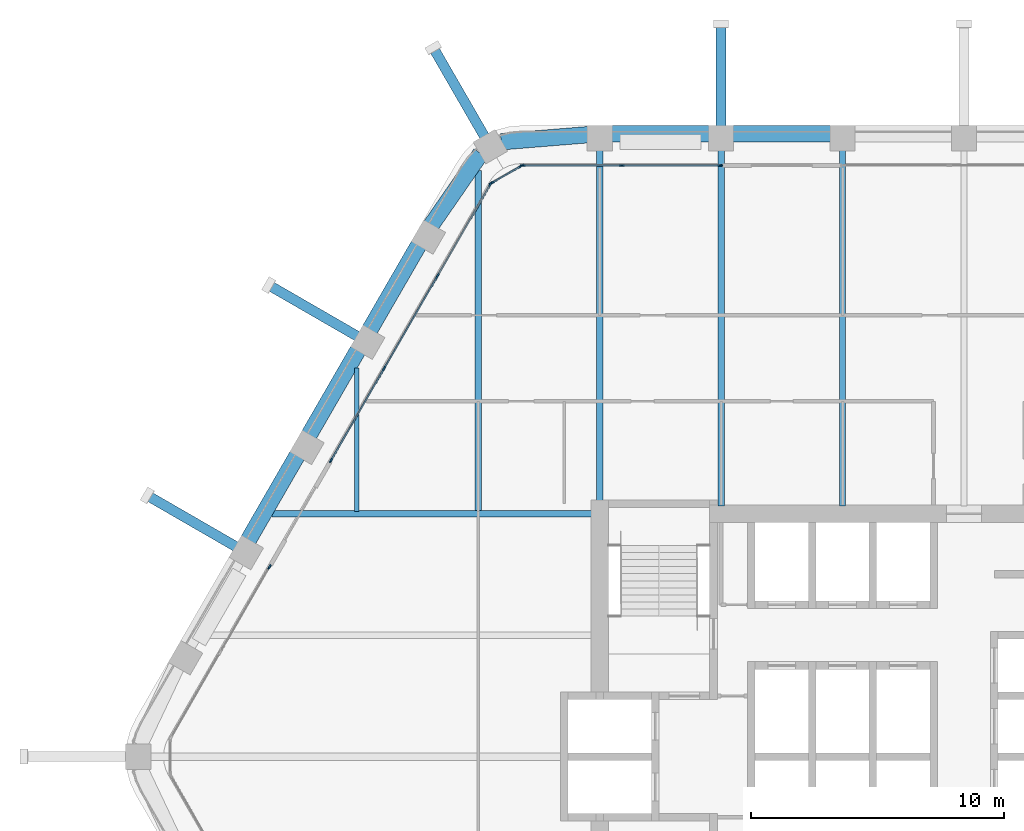
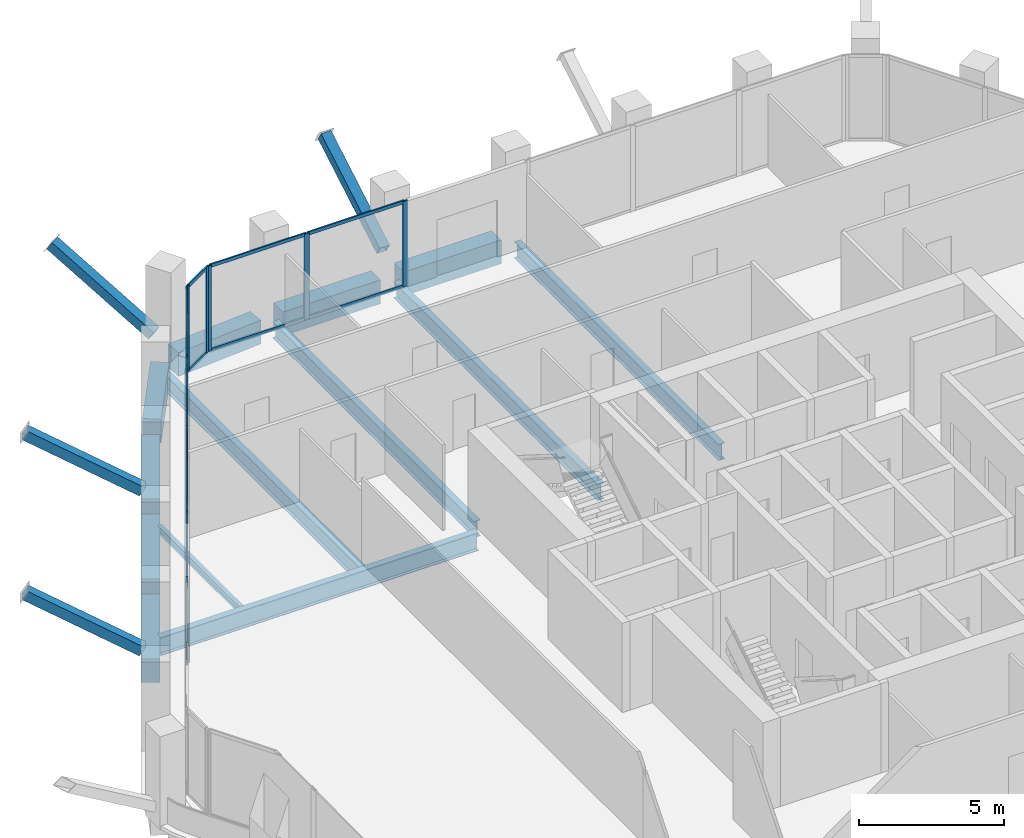
# One storey, part 6 of 16: 26 members, 13 beams, 4 elements without a shape of their own.
"""IFC4 building model written with IfcOpenShell, lengths in metres."""

from ifc_helpers import new_model, si_unit, direction, frame, origin, origin_2d, place, context, subcontext, project, spatial, rectangle, hollow_rectangle, i_section, extrude, material, material_profile, profile_set, type_object, element, aggregate, save


model = new_model("IFC4")

# Units and contexts
model_context = context("Model", 3, precision=1e-05, world=origin(), true_north=direction((0.0, 1.0)))
body_context = subcontext(model_context, "Body", "Model", "MODEL_VIEW")
ifc_project = project(units=[si_unit("LENGTHUNIT", "METRE"), si_unit("AREAUNIT", "SQUARE_METRE"), si_unit("VOLUMEUNIT", "CUBIC_METRE"), si_unit("PLANEANGLEUNIT", "RADIAN"), si_unit("MASSUNIT", "GRAM", prefix="KILO")], contexts=[model_context])

# Site, building, storey
site_placement = place(None, origin())
site = spatial("IfcSite", under=ifc_project, at=site_placement, CompositionType="ELEMENT")
building_placement = place(site_placement, origin())
building = spatial("IfcBuilding", under=site, at=building_placement, Name="Kolab Exchange Tower", CompositionType="ELEMENT")
storey_placement = place(building_placement, frame((0.0, 0.0, 146.60009765625)))
storey = spatial("IfcBuildingStorey", under=building, at=storey_placement, Name="L29", CompositionType="ELEMENT", Elevation=146.60009765625)

# Beams
ifc_material_1 = material(Name="Steel S355", Category="steel")
ifc_material_profile_1 = material_profile(ifc_material_1, i_section(OverallWidth=0.1650390625, OverallDepth=0.31005859375, WebThickness=0.005859375, FlangeThickness=0.009765625, at=origin_2d()), Name="W310X39")
ifc_profile_set_1 = profile_set([ifc_material_profile_1], Name="Steel S355")
beam_type_1 = type_object("IfcBeamType", Name="FLOOR BEAM W310X39", PredefinedType="BEAM", material=ifc_profile_set_1)
beam_1_placement = place(storey_placement, frame((-19.199951171875, 9.693603515625, -0.30517578125), z_axis=(0.0, 1.0, 0.0), x_axis=(-1.0, 0.0, 0.0)))
element("IfcBeam", 1, at=beam_1_placement, inside=storey, type_object=beam_type_1, Name="beam/L29/fr/004", PredefinedType="BEAM", context=body_context, shape_type="SweptSolid", body=[
    extrude(i_section(OverallWidth=0.1650390625, OverallDepth=0.31005859375, WebThickness=0.005859375, FlangeThickness=0.009765625, at=origin_2d()), origin(), (0.0, 0.0, 1.0), 5.674072265625),
])
ifc_material_profile_2 = material_profile(ifc_material_1, i_section(OverallWidth=0.25390625, OverallDepth=0.68408203125, WebThickness=0.012451171875, FlangeThickness=0.018798828125, at=origin_2d()), Name="W690X140")
ifc_profile_set_2 = profile_set([ifc_material_profile_2], Name="Steel S355")
beam_type_2 = type_object("IfcBeamType", Name="FLOOR BEAM W690X140", PredefinedType="BEAM", material=ifc_profile_set_2)
beam_2_placement = place(storey_placement, frame((-14.39990234375, 9.693603515625, -0.4921875), z_axis=(0.0, 1.0, 0.0), x_axis=(-1.0, 0.0, 0.0)))
element("IfcBeam", 2, at=beam_2_placement, inside=storey, type_object=beam_type_2, Name="beam/L29/fr/006", PredefinedType="BEAM", context=body_context, shape_type="SweptSolid", body=[
    extrude(i_section(OverallWidth=0.25390625, OverallDepth=0.68408203125, WebThickness=0.012451171875, FlangeThickness=0.018798828125, at=origin_2d()), origin(), (0.0, 0.0, 1.0), 13.462158203125),
])
beam_3_placement = place(storey_placement, frame((-9.60009765625, 10.110107421875, -0.4921875), z_axis=(0.0, 1.0, 0.0), x_axis=(-1.0, 0.0, 0.0)))
element("IfcBeam", 3, at=beam_3_placement, inside=storey, type_object=beam_type_2, Name="beam/L29/fr/008", PredefinedType="BEAM", context=body_context, shape_type="SweptSolid", body=[
    extrude(i_section(OverallWidth=0.25390625, OverallDepth=0.68408203125, WebThickness=0.012451171875, FlangeThickness=0.018798828125, at=origin_2d()), origin(), (0.0, 0.0, 1.0), 13.871337890625),
])
for number, where, z_axis, x_axis, name in (
    (4, (-4.800048828125, 9.909912109375, -0.4921875), (0.0, 1.0, 0.0), (-1.0, 0.0, 0.0), "beam/L29/fr/010"),
    (5, (0.0, 9.909912109375, -0.4921875), (0.0, 1.0, 0.0), (-1.0, 0.0, 0.0), "beam/L29/fr/012"),
):
    element("IfcBeam", number, at=place(storey_placement, frame(where, z_axis=z_axis, x_axis=x_axis)), inside=storey, type_object=beam_type_2, Name=name, PredefinedType="BEAM", context=body_context, shape_type="SweptSolid", body=[
        extrude(i_section(OverallWidth=0.25390625, OverallDepth=0.68408203125, WebThickness=0.012451171875, FlangeThickness=0.018798828125, at=origin_2d()), origin(), (0.0, 0.0, 1.0), 14.071533203125),
    ])
ifc_material_profile_3 = material_profile(ifc_material_1, i_section(OverallWidth=0.26708984375, OverallDepth=0.761962890625, WebThickness=0.014404296875, FlangeThickness=0.021484375, at=origin_2d()), Name="W760X173")
ifc_profile_set_3 = profile_set([ifc_material_profile_3], Name="Steel S355")
beam_type_3 = type_object("IfcBeamType", Name="FLOOR GIRDER W760X173", PredefinedType="BEAM", material=ifc_profile_set_3)
beam_4_placement = place(storey_placement, frame((-22.546875, 9.60009765625, -0.531005859375), z_axis=(1.0, 0.0, 0.0), x_axis=(0.0, 1.0, 0.0)))
element("IfcBeam", 6, at=beam_4_placement, inside=storey, type_object=beam_type_3, Name="beam/L29/gd/001", PredefinedType="BEAM", context=body_context, shape_type="SweptSolid", body=[
    extrude(i_section(OverallWidth=0.26708984375, OverallDepth=0.761962890625, WebThickness=0.014404296875, FlangeThickness=0.021484375, at=origin_2d()), origin(), (0.0, 0.0, 1.0), 12.636962890625),
])

# Members
ifc_material_profile_4 = material_profile(ifc_material_1, hollow_rectangle(XDim=0.39990234375, YDim=0.39990234375, WallThickness=0.02001953125, at=origin_2d()), Name="HSS400X400X20")
ifc_profile_set_4 = profile_set([ifc_material_profile_4], Name="Steel S355")
member_type_1 = type_object("IfcMemberType", Name="LEDGE STRUT HSS400X400X20", PredefinedType="STRUT", material=ifc_profile_set_4)
for number, where, z_axis, x_axis, name in (
    (7, (-23.96533203125, 8.293701171875, 0.599853515625), (-0.74712949304, 0.431355064226, 0.505697863547), (-0.499999695987, -0.866025579307, 0.0), "mem/L29/ledge/strut-1"),
    (8, (-19.165283203125, 16.607666015625, 0.599853515625), (-0.74712949304, 0.431355064226, 0.505697863547), (-0.499999695987, -0.866025579307, 0.0), "mem/L29/ledge/strut-2"),
    (9, (-14.14794921875, 24.5048828125, 0.599853515625), (-0.431355064226, 0.74712949304, 0.505697863547), (-0.866025579307, -0.499999695987, 0.0), "mem/L29/ledge/strut-3"),
    (10, (-4.800048828125, 24.901611328125, 0.599853515625), (0.0, 0.862697185747, 0.50572083772), (-1.0, 0.0, 0.0), "mem/L29/ledge/strut-4"),
):
    element("IfcMember", number, at=place(storey_placement, frame(where, z_axis=z_axis, x_axis=x_axis)), inside=storey, type_object=member_type_1, Name=name, PredefinedType="STRUT", context=body_context, shape_type="SweptSolid", body=[
        extrude(hollow_rectangle(XDim=0.39990234375, YDim=0.39990234375, WallThickness=0.02001953125, at=origin_2d()), origin(), (0.0, 0.0, 1.0), 4.682861328125),
    ])

# Beams
ifc_material_2 = material(Name="Concrete C60/75", Category="concrete")
ifc_material_profile_5 = material_profile(ifc_material_2, rectangle(XDim=0.64990234375, YDim=1.0, at=origin_2d()), Name="RC650X1000")
ifc_profile_set_5 = profile_set([ifc_material_profile_5], Name="Concrete C60/75")
beam_type_4 = type_object("IfcBeamType", Name="SPANDREL BEAM 650X1000 C60/75", PredefinedType="BEAM", material=ifc_profile_set_5)
beam_5_placement = place(storey_placement, frame((-13.493896484375, 24.2998046875, -0.650146484375), z_axis=(0.996708497182, 0.081068931445, 0.0), x_axis=(-0.081068931445, 0.996708497182, 0.0)))
element("IfcBeam", 11, at=beam_5_placement, inside=storey, type_object=beam_type_4, Name="beam/L29/sp/F1-01", PredefinedType="BEAM", context=body_context, shape_type="SweptSolid", body=[
    extrude(rectangle(XDim=0.64990234375, YDim=1.0, at=origin_2d()), origin(), (0.0, 0.0, 1.0), 3.445068359375),
])
beam_6_placement = place(storey_placement, frame((-9.139892578125, 24.616455078125, -0.650146484375), z_axis=(1.0, 0.0, 0.0), x_axis=(0.0, 1.0, 0.0)))
element("IfcBeam", 12, at=beam_6_placement, inside=storey, type_object=beam_type_4, Name="beam/L29/sp/F1-02", PredefinedType="BEAM", context=body_context, shape_type="SweptSolid", body=[
    extrude(rectangle(XDim=0.64990234375, YDim=1.0, at=origin_2d()), origin(), (0.0, 0.0, 1.0), 3.8798828125),
])
beam_7_placement = place(storey_placement, frame((-4.340087890625, 24.616455078125, -0.650146484375), z_axis=(1.0, 0.0, 0.0), x_axis=(0.0, 1.0, 0.0)))
element("IfcBeam", 13, at=beam_7_placement, inside=storey, type_object=beam_type_4, Name="beam/L29/sp/F1-03", PredefinedType="BEAM", context=body_context, shape_type="SweptSolid", body=[
    extrude(rectangle(XDim=0.64990234375, YDim=1.0, at=origin_2d()), origin(), (0.0, 0.0, 1.0), 3.880126953125),
])
beam_8_placement = place(storey_placement, frame((-23.488525390625, 8.5498046875, -0.650146484375), z_axis=(0.499996613652, 0.866027358884, 0.0), x_axis=(-0.866027358884, 0.499996613652, 0.0)))
element("IfcBeam", 14, at=beam_8_placement, inside=storey, type_object=beam_type_4, Name="beam/L29/sp/F6-03", PredefinedType="BEAM", context=body_context, shape_type="SweptSolid", body=[
    extrude(rectangle(XDim=0.64990234375, YDim=1.0, at=origin_2d()), origin(), (0.0, 0.0, 1.0), 3.8798828125),
])
beam_9_placement = place(storey_placement, frame((-21.088623046875, 12.70654296875, -0.650146484375), z_axis=(0.50001655835, 0.866015843605, 0.0), x_axis=(-0.866015843605, 0.50001655835, 0.0)))
element("IfcBeam", 15, at=beam_9_placement, inside=storey, type_object=beam_type_4, Name="beam/L29/sp/F6-04", PredefinedType="BEAM", context=body_context, shape_type="SweptSolid", body=[
    extrude(rectangle(XDim=0.64990234375, YDim=1.0, at=origin_2d()), origin(), (0.0, 0.0, 1.0), 3.880126953125),
])
beam_10_placement = place(storey_placement, frame((-18.6884765625, 16.863525390625, -0.650146484375), z_axis=(0.499996613652, 0.866027358884, 0.0), x_axis=(-0.866027358884, 0.499996613652, 0.0)))
element("IfcBeam", 16, at=beam_10_placement, inside=storey, type_object=beam_type_4, Name="beam/L29/sp/F6-05", PredefinedType="BEAM", context=body_context, shape_type="SweptSolid", body=[
    extrude(rectangle(XDim=0.64990234375, YDim=1.0, at=origin_2d()), origin(), (0.0, 0.0, 1.0), 3.8798828125),
])
beam_11_placement = place(storey_placement, frame((-16.256103515625, 21.001953125, -0.650146484375), z_axis=(0.568572281073, 0.822633309073, 0.0), x_axis=(-0.822633309073, 0.568572281073, 0.0)))
element("IfcBeam", 17, at=beam_11_placement, inside=storey, type_object=beam_type_4, Name="beam/L29/sp/F6-06", PredefinedType="BEAM", context=body_context, shape_type="SweptSolid", body=[
    extrude(rectangle(XDim=0.64990234375, YDim=1.0, at=origin_2d()), origin(), (0.0, 0.0, 1.0), 3.445068359375),
])

# Curtain wall, members
ifc_material_3 = material(Name="Aluminium EN AW-6063 T6", Category="aluminium")
curtain_wall_type = type_object("IfcCurtainWallType", Name="UNITISED UPPER MID ZONE CURTAIN WALL", PredefinedType="NOTDEFINED", material=ifc_material_3)
curtain_wall_1_placement = place(storey_placement, origin())
curtain_wall_1 = element("IfcCurtainWall", 18, at=curtain_wall_1_placement, inside=storey, type_object=curtain_wall_type, Name="cw/L29/F1-1", PredefinedType="NOTDEFINED")
ifc_material_profile_6 = material_profile(ifc_material_3, rectangle(XDim=0.06005859375, YDim=0.199951171875, at=origin_2d()), Name="RECT 60X200")
ifc_profile_set_6 = profile_set([ifc_material_profile_6], Name="Aluminium EN AW-6063 T6")
member_type_2 = type_object("IfcMemberType", Name="UNITISED UPPER MID ZONE MULLION 60 X 200", PredefinedType="MULLION", material=ifc_profile_set_6)
member_1_placement = place(storey_placement, frame((-12.637939453125, 23.361572265625, 0.0), z_axis=(0.0, 0.0, 1.0), x_axis=(0.0, 1.0, 0.0)))
member_1 = element("IfcMember", 19, at=member_1_placement, type_object=member_type_2, Name="CW3 mullion 1", PredefinedType="MULLION", context=body_context, shape_type="SweptSolid", body=[
    extrude(rectangle(XDim=0.06005859375, YDim=0.199951171875, at=origin_2d()), origin(), (0.0, 0.0, 1.0), 3.599853515625),
])
member_2_placement = place(storey_placement, frame((-8.73388671875, 23.361572265625, 0.0), z_axis=(0.0, 0.0, 1.0), x_axis=(0.0, 1.0, 0.0)))
member_2 = element("IfcMember", 20, at=member_2_placement, type_object=member_type_2, Name="CW3 mullion 2", PredefinedType="MULLION", context=body_context, shape_type="SweptSolid", body=[
    extrude(rectangle(XDim=0.06005859375, YDim=0.199951171875, at=origin_2d()), origin(), (0.0, 0.0, 1.0), 3.599853515625),
])
member_3_placement = place(storey_placement, frame((-4.830078125, 23.361572265625, 0.0), z_axis=(0.0, 0.0, 1.0), x_axis=(0.0, 1.0, 0.0)))
member_3 = element("IfcMember", 21, at=member_3_placement, type_object=member_type_2, Name="CW3 mullion 3", PredefinedType="MULLION", context=body_context, shape_type="SweptSolid", body=[
    extrude(rectangle(XDim=0.06005859375, YDim=0.199951171875, at=origin_2d()), origin(), (0.0, 0.0, 1.0), 3.599853515625),
])

# Curtain wall, member
curtain_wall_2_placement = place(storey_placement, origin())
curtain_wall_2 = element("IfcCurtainWall", 22, at=curtain_wall_2_placement, inside=storey, type_object=curtain_wall_type, Name="cw/L29/F6-1", PredefinedType="NOTDEFINED")
member_4_placement = place(storey_placement, frame((-22.646728515625, 7.497802734375, 0.0), z_axis=(0.0, 0.0, 1.0), x_axis=(-0.866025440524, 0.499999936366, 0.0)))
member_4 = element("IfcMember", 23, at=member_4_placement, type_object=member_type_2, Name="CW3 mullion 3", PredefinedType="MULLION", context=body_context, shape_type="SweptSolid", body=[
    extrude(rectangle(XDim=0.06005859375, YDim=0.199951171875, at=origin_2d()), origin(), (0.0, 0.0, 1.0), 3.599853515625),
])
aggregate(curtain_wall_2, [member_4])

# Curtain wall, members
curtain_wall_3_placement = place(storey_placement, origin())
curtain_wall_3 = element("IfcCurtainWall", 24, at=curtain_wall_3_placement, inside=storey, type_object=curtain_wall_type, Name="cw/L29/F6-2", PredefinedType="NOTDEFINED")
member_5_placement = place(storey_placement, frame((-20.216796875, 11.706787109375, 0.0), z_axis=(0.0, 0.0, 1.0), x_axis=(-0.866025393644, 0.500000017564, 0.0)))
member_5 = element("IfcMember", 25, at=member_5_placement, type_object=member_type_2, Name="CW3 mullion 1", PredefinedType="MULLION", context=body_context, shape_type="SweptSolid", body=[
    extrude(rectangle(XDim=0.06005859375, YDim=0.199951171875, at=origin_2d()), origin(), (0.0, 0.0, 1.0), 3.599853515625),
])
member_6_placement = place(storey_placement, frame((-18.120361328125, 15.337646484375, 0.0), z_axis=(0.0, 0.0, 1.0), x_axis=(-0.866025393644, 0.500000017564, 0.0)))
member_6 = element("IfcMember", 26, at=member_6_placement, type_object=member_type_2, Name="CW3 mullion 2", PredefinedType="MULLION", context=body_context, shape_type="SweptSolid", body=[
    extrude(rectangle(XDim=0.06005859375, YDim=0.199951171875, at=origin_2d()), origin(), (0.0, 0.0, 1.0), 3.599853515625),
])
member_7_placement = place(storey_placement, frame((-16.009033203125, 18.99462890625, 0.0), z_axis=(0.0, 0.0, 1.0), x_axis=(-0.866025393644, 0.500000017564, 0.0)))
member_7 = element("IfcMember", 27, at=member_7_placement, type_object=member_type_2, Name="CW3 mullion 3", PredefinedType="MULLION", context=body_context, shape_type="SweptSolid", body=[
    extrude(rectangle(XDim=0.06005859375, YDim=0.199951171875, at=origin_2d()), origin(), (0.0, 0.0, 1.0), 3.599853515625),
])
member_8_placement = place(storey_placement, frame((-13.91259765625, 22.62548828125, 0.0), z_axis=(0.0, 0.0, 1.0), x_axis=(-0.866025393644, 0.500000017564, 0.0)))
member_8 = element("IfcMember", 28, at=member_8_placement, type_object=member_type_2, Name="CW3 mullion 4", PredefinedType="MULLION", context=body_context, shape_type="SweptSolid", body=[
    extrude(rectangle(XDim=0.06005859375, YDim=0.199951171875, at=origin_2d()), origin(), (0.0, 0.0, 1.0), 3.599853515625),
])

curtain_wall_4_placement = place(storey_placement, origin())
curtain_wall_4 = element("IfcCurtainWall", 29, at=curtain_wall_4_placement, inside=storey, type_object=curtain_wall_type, Name="cw/L29/F6F1-corner", PredefinedType="NOTDEFINED")
member_9_placement = place(storey_placement, frame((-13.871826171875, 22.66650390625, 0.0), z_axis=(0.0, 0.0, 1.0), x_axis=(-0.50000002237, 0.866025390869, 0.0)))
member_9 = element("IfcMember", 30, at=member_9_placement, type_object=member_type_2, Name="CW3 mullion 1", PredefinedType="MULLION", context=body_context, shape_type="SweptSolid", body=[
    extrude(rectangle(XDim=0.06005859375, YDim=0.199951171875, at=origin_2d()), origin(), (0.0, 0.0, 1.0), 3.599853515625),
])
member_10_placement = place(storey_placement, frame((-12.69384765625, 23.346435546875, 0.0), z_axis=(0.0, 0.0, 1.0), x_axis=(-0.50000002237, 0.866025390869, 0.0)))
member_10 = element("IfcMember", 31, at=member_10_placement, type_object=member_type_2, Name="CW3 mullion 2", PredefinedType="MULLION", context=body_context, shape_type="SweptSolid", body=[
    extrude(rectangle(XDim=0.06005859375, YDim=0.199951171875, at=origin_2d()), origin(), (0.0, 0.0, 1.0), 3.599853515625),
])

# Member
ifc_material_profile_7 = material_profile(ifc_material_3, rectangle(XDim=0.06005859375, YDim=0.139892578125, at=origin_2d()), Name="RECT 60X140")
ifc_profile_set_7 = profile_set([ifc_material_profile_7], Name="Aluminium EN AW-6063 T6")
member_type_3 = type_object("IfcMemberType", Name="UNITISED UPPER MID ZONE TRANSOM 60 X 140", PredefinedType="USERDEFINED", material=ifc_profile_set_7)
member_11_placement = place(storey_placement, frame((-12.60791015625, 23.361572265625, 0.02978515625), z_axis=(1.0, 0.0, 0.0), x_axis=(0.0, 1.0, 0.0)))
member_11 = element("IfcMember", 32, at=member_11_placement, type_object=member_type_3, Name="CW3 transom 1.1", ObjectType="TRANSOM", PredefinedType="USERDEFINED", context=body_context, shape_type="SweptSolid", body=[
    extrude(rectangle(XDim=0.06005859375, YDim=0.139892578125, at=origin_2d()), origin(), (0.0, 0.0, 1.0), 3.843994140625),
])

member_12_placement = place(storey_placement, frame((-12.60791015625, 23.361572265625, 3.56982421875), z_axis=(1.0, 0.0, 0.0), x_axis=(0.0, 1.0, 0.0)))
member_12 = element("IfcMember", 33, at=member_12_placement, type_object=member_type_3, Name="CW3 transom 1.2", ObjectType="TRANSOM", PredefinedType="USERDEFINED", context=body_context, shape_type="SweptSolid", body=[
    extrude(rectangle(XDim=0.06005859375, YDim=0.139892578125, at=origin_2d()), origin(), (0.0, 0.0, 1.0), 3.843994140625),
])

member_13_placement = place(storey_placement, frame((-8.703857421875, 23.361572265625, 0.02978515625), z_axis=(1.0, 0.0, 0.0), x_axis=(0.0, 1.0, 0.0)))
member_13 = element("IfcMember", 34, at=member_13_placement, type_object=member_type_3, Name="CW3 transom 2.1", ObjectType="TRANSOM", PredefinedType="USERDEFINED", context=body_context, shape_type="SweptSolid", body=[
    extrude(rectangle(XDim=0.06005859375, YDim=0.139892578125, at=origin_2d()), origin(), (0.0, 0.0, 1.0), 3.84375),
])

member_14_placement = place(storey_placement, frame((-8.703857421875, 23.361572265625, 3.56982421875), z_axis=(1.0, 0.0, 0.0), x_axis=(0.0, 1.0, 0.0)))
member_14 = element("IfcMember", 35, at=member_14_placement, type_object=member_type_3, Name="CW3 transom 2.2", ObjectType="TRANSOM", PredefinedType="USERDEFINED", context=body_context, shape_type="SweptSolid", body=[
    extrude(rectangle(XDim=0.06005859375, YDim=0.139892578125, at=origin_2d()), origin(), (0.0, 0.0, 1.0), 3.84375),
])

aggregate(curtain_wall_1, [member_1, member_2, member_3, member_11, member_12, member_13, member_14])

member_15_placement = place(storey_placement, frame((-20.20166015625, 11.732666015625, 0.02978515625), z_axis=(0.500001996123, 0.866024251319, 0.0), x_axis=(-0.866024251319, 0.500001996123, 0.0)))
member_15 = element("IfcMember", 36, at=member_15_placement, type_object=member_type_3, Name="CW3 transom 1.1", ObjectType="TRANSOM", PredefinedType="USERDEFINED", context=body_context, shape_type="SweptSolid", body=[
    extrude(rectangle(XDim=0.06005859375, YDim=0.139892578125, at=origin_2d()), origin(), (0.0, 0.0, 1.0), 4.1328125),
])

member_16_placement = place(storey_placement, frame((-20.20166015625, 11.732666015625, 3.56982421875), z_axis=(0.500001996123, 0.866024251319, 0.0), x_axis=(-0.866024251319, 0.500001996123, 0.0)))
member_16 = element("IfcMember", 37, at=member_16_placement, type_object=member_type_3, Name="CW3 transom 1.2", ObjectType="TRANSOM", PredefinedType="USERDEFINED", context=body_context, shape_type="SweptSolid", body=[
    extrude(rectangle(XDim=0.06005859375, YDim=0.139892578125, at=origin_2d()), origin(), (0.0, 0.0, 1.0), 4.1328125),
])

member_17_placement = place(storey_placement, frame((-18.10546875, 15.36376953125, 0.02978515625), z_axis=(0.500037208726, 0.86600392025, 0.0), x_axis=(-0.86600392025, 0.500037208726, 0.0)))
member_17 = element("IfcMember", 38, at=member_17_placement, type_object=member_type_3, Name="CW3 transom 2.1", ObjectType="TRANSOM", PredefinedType="USERDEFINED", context=body_context, shape_type="SweptSolid", body=[
    extrude(rectangle(XDim=0.06005859375, YDim=0.139892578125, at=origin_2d()), origin(), (0.0, 0.0, 1.0), 4.162841796875),
])

member_18_placement = place(storey_placement, frame((-18.10546875, 15.36376953125, 3.56982421875), z_axis=(0.500037208726, 0.86600392025, 0.0), x_axis=(-0.86600392025, 0.500037208726, 0.0)))
member_18 = element("IfcMember", 39, at=member_18_placement, type_object=member_type_3, Name="CW3 transom 2.2", ObjectType="TRANSOM", PredefinedType="USERDEFINED", context=body_context, shape_type="SweptSolid", body=[
    extrude(rectangle(XDim=0.06005859375, YDim=0.139892578125, at=origin_2d()), origin(), (0.0, 0.0, 1.0), 4.162841796875),
])

member_19_placement = place(storey_placement, frame((-15.994140625, 19.0205078125, 0.02978515625), z_axis=(0.500001996123, 0.866024251319, 0.0), x_axis=(-0.866024251319, 0.500001996123, 0.0)))
member_19 = element("IfcMember", 40, at=member_19_placement, type_object=member_type_3, Name="CW3 transom 3.1", ObjectType="TRANSOM", PredefinedType="USERDEFINED", context=body_context, shape_type="SweptSolid", body=[
    extrude(rectangle(XDim=0.06005859375, YDim=0.139892578125, at=origin_2d()), origin(), (0.0, 0.0, 1.0), 4.1328125),
])

member_20_placement = place(storey_placement, frame((-15.994140625, 19.0205078125, 3.56982421875), z_axis=(0.500001996123, 0.866024251319, 0.0), x_axis=(-0.866024251319, 0.500001996123, 0.0)))
member_20 = element("IfcMember", 41, at=member_20_placement, type_object=member_type_3, Name="CW3 transom 3.2", ObjectType="TRANSOM", PredefinedType="USERDEFINED", context=body_context, shape_type="SweptSolid", body=[
    extrude(rectangle(XDim=0.06005859375, YDim=0.139892578125, at=origin_2d()), origin(), (0.0, 0.0, 1.0), 4.1328125),
])

aggregate(curtain_wall_3, [member_5, member_6, member_7, member_8, member_15, member_16, member_17, member_18, member_19, member_20])

member_21_placement = place(storey_placement, frame((-13.845703125, 22.681640625, 0.02978515625), z_axis=(0.86603858612, 0.49997716683, 0.0), x_axis=(-0.49997716683, 0.86603858612, 0.0)))
member_21 = element("IfcMember", 42, at=member_21_placement, type_object=member_type_3, Name="CW3 transom 1.1", ObjectType="TRANSOM", PredefinedType="USERDEFINED", context=body_context, shape_type="SweptSolid", body=[
    extrude(rectangle(XDim=0.06005859375, YDim=0.139892578125, at=origin_2d()), origin(), (0.0, 0.0, 1.0), 1.2998046875),
])

member_22_placement = place(storey_placement, frame((-13.845703125, 22.681640625, 3.56982421875), z_axis=(0.86603858612, 0.49997716683, 0.0), x_axis=(-0.49997716683, 0.86603858612, 0.0)))
member_22 = element("IfcMember", 43, at=member_22_placement, type_object=member_type_3, Name="CW3 transom 1.2", ObjectType="TRANSOM", PredefinedType="USERDEFINED", context=body_context, shape_type="SweptSolid", body=[
    extrude(rectangle(XDim=0.06005859375, YDim=0.139892578125, at=origin_2d()), origin(), (0.0, 0.0, 1.0), 1.2998046875),
])

aggregate(curtain_wall_4, [member_9, member_10, member_21, member_22])

save(model, "model.ifc")
